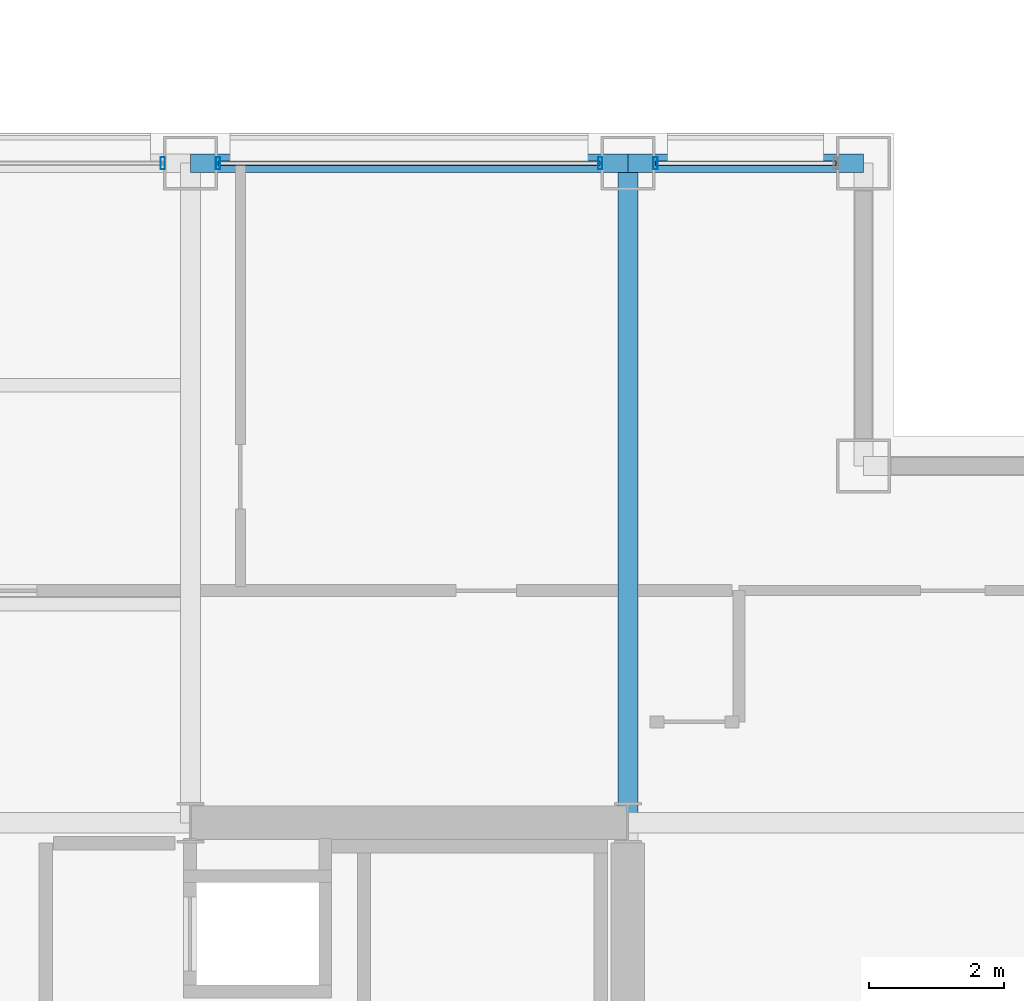
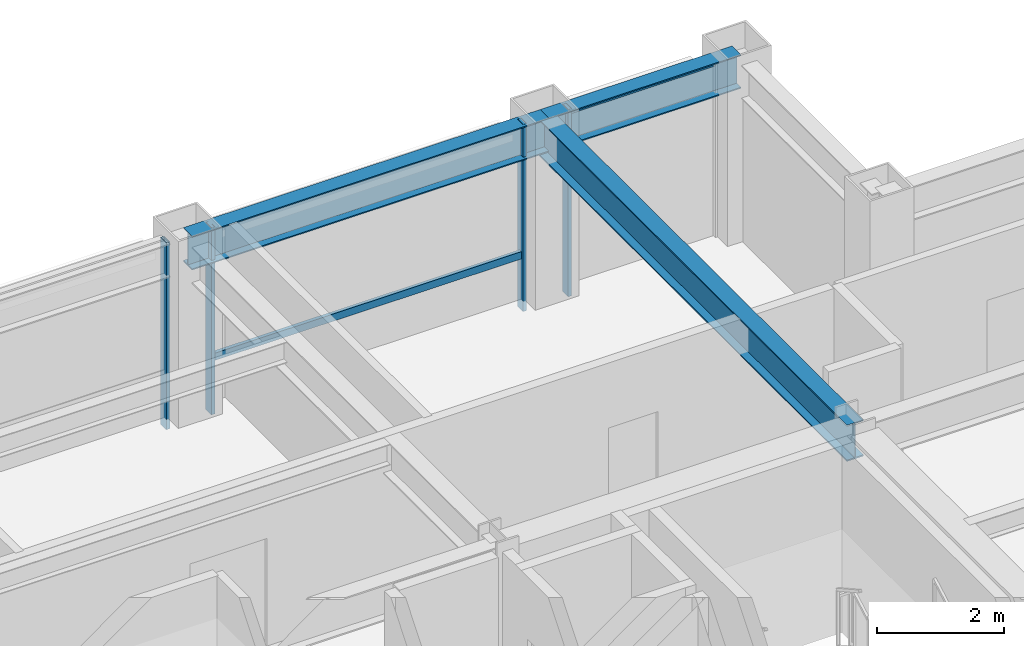
# One storey, part 21 of 29: 6 members, 3 beams, 3 elements without a shape of their own.
"""IFC4 building model written with IfcOpenShell, lengths in metres."""

from ifc_helpers import new_model, si_unit, direction, frame, origin, origin_2d, place, context, subcontext, project, spatial, hollow_rectangle, i_section, extrude, material, layer, layer_set, material_profile, profile_set, type_object, element, aggregate, save


model = new_model("IFC4")

# Units and contexts
model_context = context("Model", 3, precision=1e-05, world=origin(), true_north=direction((0.0, 1.0)))
body_context = subcontext(model_context, "Body", "Model", "MODEL_VIEW")
ifc_project = project(units=[si_unit("LENGTHUNIT", "METRE"), si_unit("AREAUNIT", "SQUARE_METRE"), si_unit("VOLUMEUNIT", "CUBIC_METRE"), si_unit("PLANEANGLEUNIT", "RADIAN"), si_unit("MASSUNIT", "GRAM", prefix="KILO")], contexts=[model_context])

# Site, building, storey
site_placement = place(None, origin())
site = spatial("IfcSite", under=ifc_project, at=site_placement, CompositionType="ELEMENT")
building_placement = place(site_placement, origin())
building = spatial("IfcBuilding", under=site, at=building_placement, Name="Brelmoor Portico Tower", CompositionType="ELEMENT")
storey_placement = place(building_placement, frame((0.0, 0.0, 138.60009765625)))
storey = spatial("IfcBuildingStorey", under=building, at=storey_placement, Name="L36", CompositionType="ELEMENT", Elevation=138.60009765625)

# Beams
ifc_material_1 = material(Name="Steel Q355B", Category="steel")
ifc_material_profile_1 = material_profile(ifc_material_1, i_section(OverallWidth=0.300048828125, OverallDepth=0.699951171875, WebThickness=0.012939453125, FlangeThickness=0.02392578125, at=origin_2d()), Name="HN 700x300x13x24")
ifc_profile_set_1 = profile_set([ifc_material_profile_1], Name="Steel Q355B")
beam_type_1 = type_object("IfcBeamType", Name="BM-PG-700", PredefinedType="BEAM", material=ifc_profile_set_1)
beam_1_placement = place(storey_placement, frame((14.550048828125, 9.75, 3.0498046875), z_axis=(0.0, 1.0, 0.0), x_axis=(-1.0, 0.0, 0.0)))
element("IfcBeam", 1, at=beam_1_placement, inside=storey, type_object=beam_type_1, Name="L36 Primary Floor Girder PG-13", PredefinedType="BEAM", context=body_context, shape_type="SweptSolid", body=[
    extrude(i_section(OverallWidth=0.300048828125, OverallDepth=0.699951171875, WebThickness=0.012939453125, FlangeThickness=0.02392578125, at=origin_2d()), origin(), (0.0, 0.0, 1.0), 9.800048828125),
])
ifc_material_profile_2 = material_profile(ifc_material_1, i_section(OverallWidth=0.280029296875, OverallDepth=0.64990234375, WebThickness=0.012939453125, FlangeThickness=0.02197265625, at=origin_2d()), Name="HN 650x280x13x22")
ifc_profile_set_2 = profile_set([ifc_material_profile_2], Name="Steel Q355B")
beam_type_2 = type_object("IfcBeamType", Name="BM-SP-650", PredefinedType="SPANDREL", material=ifc_profile_set_2)
beam_2_placement = place(storey_placement, frame((8.050048828125, 19.550048828125, 3.074951171875), z_axis=(1.0, 0.0, 0.0), x_axis=(0.0, 1.0, 0.0)))
element("IfcBeam", 2, at=beam_2_placement, inside=storey, type_object=beam_type_2, Name="L36 Perimeter Spandrel Beam SP-13", PredefinedType="SPANDREL", context=body_context, shape_type="SweptSolid", body=[
    extrude(i_section(OverallWidth=0.280029296875, OverallDepth=0.64990234375, WebThickness=0.012939453125, FlangeThickness=0.02197265625, at=origin_2d()), origin(), (0.0, 0.0, 1.0), 6.5),
])
beam_3_placement = place(storey_placement, frame((14.550048828125, 19.550048828125, 3.074951171875), z_axis=(1.0, 0.0, 0.0), x_axis=(0.0, 1.0, 0.0)))
element("IfcBeam", 3, at=beam_3_placement, inside=storey, type_object=beam_type_2, Name="L36 Perimeter Spandrel Beam SP-14", PredefinedType="SPANDREL", context=body_context, shape_type="SweptSolid", body=[
    extrude(i_section(OverallWidth=0.280029296875, OverallDepth=0.64990234375, WebThickness=0.012939453125, FlangeThickness=0.02197265625, at=origin_2d()), origin(), (0.0, 0.0, 1.0), 3.5),
])

# Curtain wall, member
ifc_material_2 = material(Name="Anodised Aluminium Alloy 6063-T6", Category="aluminium")
ifc_layer_1 = layer(ifc_material_2, 0.179931640625)
ifc_layer_set_1 = layer_set([ifc_layer_1], Name="Anodised Aluminium Alloy 6063-T6")
curtain_wall_type_1 = type_object("IfcCurtainWallType", Name="CW-TOWER-Z2", PredefinedType="NOTDEFINED", material=ifc_layer_set_1)
curtain_wall_1_placement = place(storey_placement, origin())
curtain_wall_1 = element("IfcCurtainWall", 4, at=curtain_wall_1_placement, inside=storey, type_object=curtain_wall_type_1, Name="L36 Curtain Wall CW-L36-2R-1", PredefinedType="NOTDEFINED")
ifc_material_profile_3 = material_profile(ifc_material_2, hollow_rectangle(XDim=0.06494140625, YDim=0.179931640625, WallThickness=0.00390625, at=origin_2d()), Name="ALU MULLION 65x180")
ifc_profile_set_3 = profile_set([ifc_material_profile_3], Name="Anodised Aluminium Alloy 6063-T6")
member_type_1 = type_object("IfcMemberType", Name="MB-CW-MULL-180", PredefinedType="MULLION", material=ifc_profile_set_3)
member_1_placement = place(storey_placement, frame((7.639892578125, 19.550048828125, -0.2001953125), z_axis=(0.0, 0.0, 1.0), x_axis=(1.0, 0.0, 0.0)))
member_1 = element("IfcMember", 5, at=member_1_placement, type_object=member_type_1, Name="CW-L36-2R-1 Mullion 01", PredefinedType="MULLION", context=body_context, shape_type="SweptSolid", body=[
    extrude(hollow_rectangle(XDim=0.06494140625, YDim=0.179931640625, WallThickness=0.00390625, at=origin_2d()), origin(), (0.0, 0.0, 1.0), 3.60009765625),
])
aggregate(curtain_wall_1, [member_1])

# Curtain wall, members
curtain_wall_2_placement = place(storey_placement, origin())
curtain_wall_2 = element("IfcCurtainWall", 6, at=curtain_wall_2_placement, inside=storey, type_object=curtain_wall_type_1, Name="L36 Curtain Wall CW-L36-2R-2", PredefinedType="NOTDEFINED")
member_2_placement = place(storey_placement, frame((8.4599609375, 19.550048828125, -0.2001953125), z_axis=(0.0, 0.0, 1.0), x_axis=(1.0, 0.0, 0.0)))
member_2 = element("IfcMember", 7, at=member_2_placement, type_object=member_type_1, Name="CW-L36-2R-2 Mullion 00", PredefinedType="MULLION", context=body_context, shape_type="SweptSolid", body=[
    extrude(hollow_rectangle(XDim=0.06494140625, YDim=0.179931640625, WallThickness=0.00390625, at=origin_2d()), origin(), (0.0, 0.0, 1.0), 3.60009765625),
])
member_3_placement = place(storey_placement, frame((14.139892578125, 19.550048828125, -0.2001953125), z_axis=(0.0, 0.0, 1.0), x_axis=(1.0, 0.0, 0.0)))
member_3 = element("IfcMember", 8, at=member_3_placement, type_object=member_type_1, Name="CW-L36-2R-2 Mullion 01", PredefinedType="MULLION", context=body_context, shape_type="SweptSolid", body=[
    extrude(hollow_rectangle(XDim=0.06494140625, YDim=0.179931640625, WallThickness=0.00390625, at=origin_2d()), origin(), (0.0, 0.0, 1.0), 3.60009765625),
])

# Curtain wall, member
ifc_layer_2 = layer(ifc_material_2, 0.179931640625)
ifc_layer_set_2 = layer_set([ifc_layer_2], Name="Anodised Aluminium Alloy 6063-T6")
curtain_wall_type_2 = type_object("IfcCurtainWallType", Name="CW-TOWER-Z2-XB", PredefinedType="NOTDEFINED", material=ifc_layer_set_2)
curtain_wall_3_placement = place(storey_placement, origin())
curtain_wall_3 = element("IfcCurtainWall", 9, at=curtain_wall_3_placement, inside=storey, type_object=curtain_wall_type_2, Name="L36 Curtain Wall CW-L36-2R-3", PredefinedType="NOTDEFINED")
member_4_placement = place(storey_placement, frame((14.9599609375, 19.550048828125, -0.2001953125), z_axis=(0.0, 0.0, 1.0), x_axis=(1.0, 0.0, 0.0)))
member_4 = element("IfcMember", 10, at=member_4_placement, type_object=member_type_1, Name="CW-L36-2R-3 Mullion 00", PredefinedType="MULLION", context=body_context, shape_type="SweptSolid", body=[
    extrude(hollow_rectangle(XDim=0.06494140625, YDim=0.179931640625, WallThickness=0.00390625, at=origin_2d()), origin(), (0.0, 0.0, 1.0), 3.60009765625),
])

# Member
ifc_material_profile_4 = material_profile(ifc_material_2, hollow_rectangle(XDim=0.06494140625, YDim=0.139892578125, WallThickness=0.00390625, at=origin_2d()), Name="ALU TRANSOM 65x140")
ifc_profile_set_4 = profile_set([ifc_material_profile_4], Name="Anodised Aluminium Alloy 6063-T6")
member_type_2 = type_object("IfcMemberType", Name="MB-CW-TRAN-140", PredefinedType="USERDEFINED", material=ifc_profile_set_4)
member_5_placement = place(storey_placement, frame((8.4599609375, 19.550048828125, 0.849853515625), z_axis=(1.0, 0.0, 0.0), x_axis=(0.0, 1.0, 0.0)))
member_5 = element("IfcMember", 11, at=member_5_placement, type_object=member_type_2, Name="CW-L36-2R-2 Transom 1-00", ObjectType="TRANSOM", PredefinedType="USERDEFINED", context=body_context, shape_type="SweptSolid", body=[
    extrude(hollow_rectangle(XDim=0.06494140625, YDim=0.139892578125, WallThickness=0.00390625, at=origin_2d()), origin(), (0.0, 0.0, 1.0), 5.679931640625),
])

aggregate(curtain_wall_2, [member_2, member_3, member_5])

member_6_placement = place(storey_placement, frame((14.9599609375, 19.550048828125, 3.329833984375), z_axis=(1.0, 0.0, 0.0), x_axis=(0.0, 1.0, 0.0)))
member_6 = element("IfcMember", 12, at=member_6_placement, type_object=member_type_2, Name="CW-L36-2R-3 Transom 1-00", ObjectType="TRANSOM", PredefinedType="USERDEFINED", context=body_context, shape_type="SweptSolid", body=[
    extrude(hollow_rectangle(XDim=0.06494140625, YDim=0.139892578125, WallThickness=0.00390625, at=origin_2d()), origin(), (0.0, 0.0, 1.0), 2.679931640625),
])

aggregate(curtain_wall_3, [member_4, member_6])

save(model, "model.ifc")
